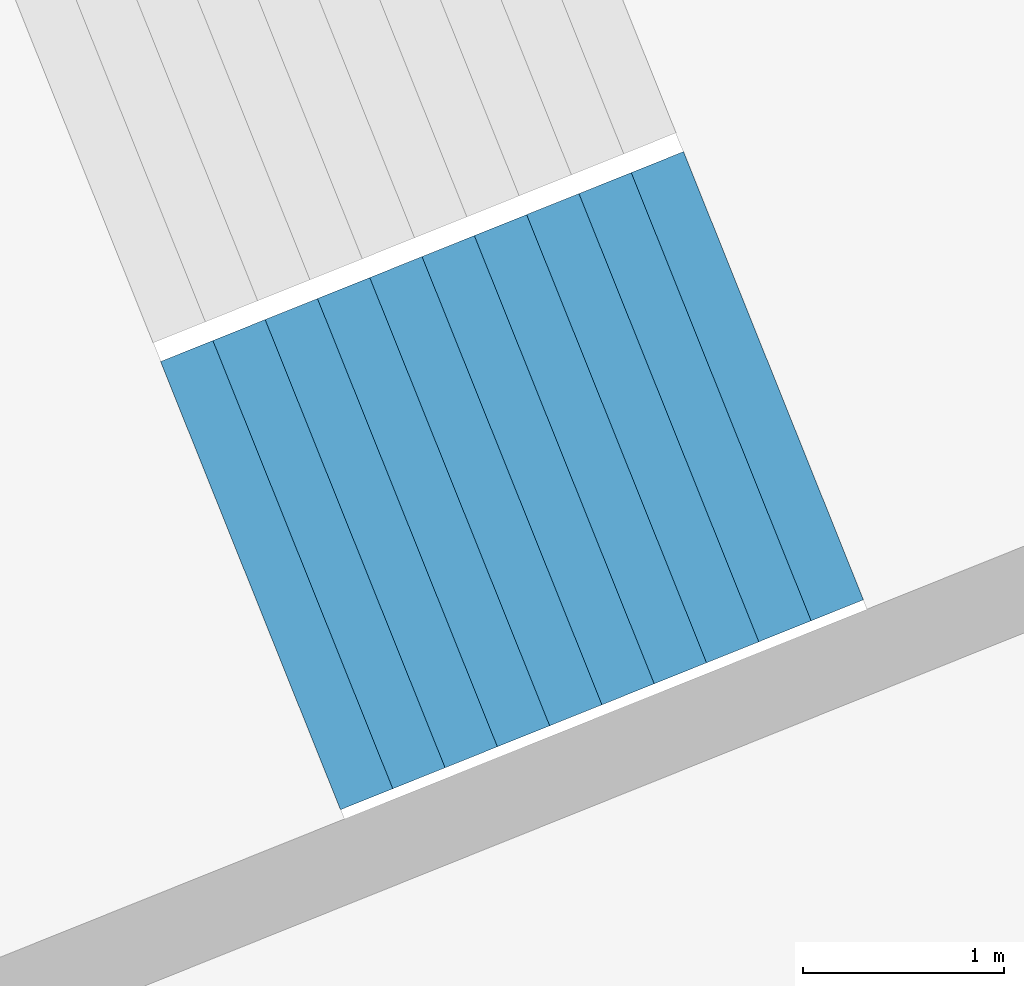
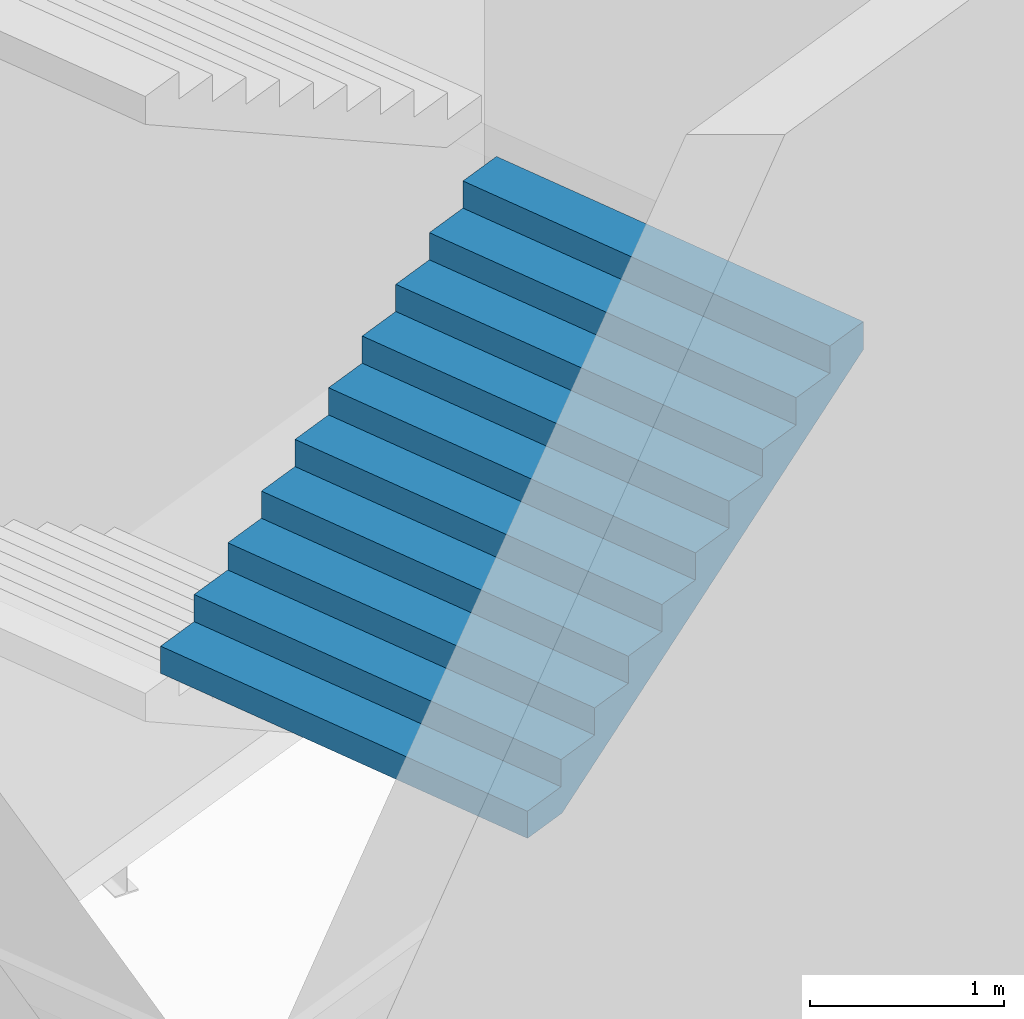
# One storey, part 66 of 73: 1 stair flight, 1 element without a shape of its own.
"""IFC4 building model written with IfcOpenShell, lengths in metres."""

from ifc_helpers import new_model, si_unit, direction, frame, origin, place, context, subcontext, project, spatial, triangles, material, type_object, element, aggregate, save


model = new_model("IFC4")

# Units and contexts
model_context = context("Model", 3, precision=1e-05, world=origin(), true_north=direction((0.0, 1.0)))
body_context = subcontext(model_context, "Body", "Model", "MODEL_VIEW")
ifc_project = project(units=[si_unit("LENGTHUNIT", "METRE"), si_unit("AREAUNIT", "SQUARE_METRE"), si_unit("VOLUMEUNIT", "CUBIC_METRE"), si_unit("PLANEANGLEUNIT", "RADIAN"), si_unit("MASSUNIT", "GRAM", prefix="KILO")], contexts=[model_context])

# Site, building, storey
site_placement = place(None, origin())
site = spatial("IfcSite", under=ifc_project, at=site_placement, CompositionType="ELEMENT")
building_placement = place(site_placement, origin())
building = spatial("IfcBuilding", under=site, at=building_placement, Name="Lantaw Convention Tower", CompositionType="ELEMENT")
storey_placement = place(building_placement, frame((0.0, 0.0, 14.5)))
storey = spatial("IfcBuildingStorey", under=building, at=storey_placement, Name="L02", CompositionType="ELEMENT", Elevation=14.5)

# Stair, stair flight
ifc_material = material(Name="Concrete C35/45", Category="concrete")
stair_type = type_object("IfcStairType", Name="Exit stair 2400 riser 170.45 in 4 flights", PredefinedType="HALF_TURN_STAIR", material=ifc_material)
stair_placement = place(storey_placement, origin())
stair = element("IfcStair", 1, at=stair_placement, inside=storey, type_object=stair_type, Name="Podium exit stair P2 L02", PredefinedType="HALF_TURN_STAIR")
stair_flight_type = type_object("IfcStairFlightType", Name="Stair flight 2400 riser 170.45", PredefinedType="STRAIGHT", material=ifc_material)
stair_flight_placement = place(storey_placement, frame((36.730712890625, 13.398193359375, 3.75), z_axis=(0.0, 0.0, 1.0), x_axis=(0.928015168305, 0.372542410198, 0.0)))
stair_flight = element("IfcStairFlight", 2, at=stair_flight_placement, type_object=stair_flight_type, Name="P2 flight 3", NumberOfRisers=11, NumberOfTreads=10, PredefinedType="STRAIGHT", RiserHeight=0.170454545, TreadLength=0.28, context=body_context, shape_type="Tessellation", body=[
    triangles([(0.0, 1.199951171875, 0.0), (0.0, 1.199951171875, 0.170454545), (0.28, 1.199951171875, 0.0), (0.28, 1.199951171875, 0.170454545), (0.28, 1.199951171875, 0.34090909), (0.28827876332691904, 1.199951171875, 0.0), (0.28827876332691904, 1.199951171875, 0.34090909), (0.56, 1.199951171875, 0.16541471344266906), (0.56, 1.199951171875, 0.34090909), (0.56, 1.199951171875, 0.511363635), (0.8400000000000001, 1.199951171875, 0.335869258442669), (0.8400000000000001, 1.199951171875, 0.511363635), (0.8400000000000001, 1.199951171875, 0.68181818), (1.12, 1.199951171875, 0.506323803442669), (1.12, 1.199951171875, 0.68181818), (1.12, 1.199951171875, 0.8522727250000001), (1.4000000000000001, 1.199951171875, 0.676778348442669), (1.4000000000000001, 1.199951171875, 0.8522727250000001), (1.4000000000000001, 1.199951171875, 1.02272727), (1.6800000000000002, 1.199951171875, 0.847232893442669), (1.6800000000000002, 1.199951171875, 1.02272727), (1.6800000000000002, 1.199951171875, 1.193181815), (1.9600000000000002, 1.199951171875, 1.017687438442669), (1.9600000000000002, 1.199951171875, 1.193181815), (1.9600000000000002, 1.199951171875, 1.36363636), (2.24, 1.199951171875, 1.188141983442669), (2.24, 1.199951171875, 1.36363636), (2.24, 1.199951171875, 1.5340909050000002), (2.5200000000000005, 1.199951171875, 1.358596528442669), (2.5200000000000005, 1.199951171875, 1.5340909050000002), (2.5200000000000005, 1.199951171875, 1.7045454500000001), (2.8000000000000003, 1.199951171875, 1.529051073442669), (2.8000000000000003, 1.199951171875, 1.7045454500000001), (0.0, -1.199951171875, 0.0), (0.0, -1.199951171875, 0.170454545), (0.28, -1.199951171875, 0.0), (0.28, -1.199951171875, 0.170454545), (0.28, -1.199951171875, 0.34090909), (0.28827876332691904, -1.199951171875, 0.0), (0.28827876332691904, -1.199951171875, 0.34090909), (0.56, -1.199951171875, 0.16541471344266906), (0.56, -1.199951171875, 0.34090909), (0.56, -1.199951171875, 0.511363635), (0.8400000000000001, -1.199951171875, 0.335869258442669), (0.8400000000000001, -1.199951171875, 0.511363635), (0.8400000000000001, -1.199951171875, 0.68181818), (1.12, -1.199951171875, 0.506323803442669), (1.12, -1.199951171875, 0.68181818), (1.12, -1.199951171875, 0.8522727250000001), (1.4000000000000001, -1.199951171875, 0.676778348442669), (1.4000000000000001, -1.199951171875, 0.8522727250000001), (1.4000000000000001, -1.199951171875, 1.02272727), (1.6800000000000002, -1.199951171875, 0.847232893442669), (1.6800000000000002, -1.199951171875, 1.02272727), (1.6800000000000002, -1.199951171875, 1.193181815), (1.9600000000000002, -1.199951171875, 1.017687438442669), (1.9600000000000002, -1.199951171875, 1.193181815), (1.9600000000000002, -1.199951171875, 1.36363636), (2.24, -1.199951171875, 1.188141983442669), (2.24, -1.199951171875, 1.36363636), (2.24, -1.199951171875, 1.5340909050000002), (2.5200000000000005, -1.199951171875, 1.358596528442669), (2.5200000000000005, -1.199951171875, 1.5340909050000002), (2.5200000000000005, -1.199951171875, 1.7045454500000001), (2.8000000000000003, -1.199951171875, 1.529051073442669), (2.8000000000000003, -1.199951171875, 1.7045454500000001), (0.0, 0.239990234375, 0.170454545), (0.0, 0.239990234375, 0.0), (0.0, 0.1199951171875, 0.170454545), (0.0, 0.1199951171875, 0.0), (0.0, 0.0, 0.170454545), (0.0, 0.0, 0.0), (0.0, -0.1199951171875, 0.170454545), (0.0, -0.1199951171875, 0.0), (0.0, -0.239990234375, 0.170454545), (0.0, -0.239990234375, 0.0), (0.28, 0.239990234375, 0.34090909), (0.28, 0.239990234375, 0.170454545), (0.28, 0.1199951171875, 0.34090909), (0.28, 0.1199951171875, 0.170454545), (0.28, 0.0, 0.34090909), (0.28, 0.0, 0.170454545), (0.28, -0.1199951171875, 0.34090909), (0.28, -0.1199951171875, 0.170454545), (0.28, -0.239990234375, 0.34090909), (0.28, -0.239990234375, 0.170454545), (0.56, 0.239990234375, 0.511363635), (0.56, 0.239990234375, 0.34090909), (0.56, 0.1199951171875, 0.511363635), (0.56, 0.1199951171875, 0.34090909), (0.56, 0.0, 0.511363635), (0.56, 0.0, 0.34090909), (0.56, -0.1199951171875, 0.511363635), (0.56, -0.1199951171875, 0.34090909), (0.56, -0.239990234375, 0.511363635), (0.56, -0.239990234375, 0.34090909), (0.8400000000000001, 0.239990234375, 0.68181818), (0.8400000000000001, 0.239990234375, 0.511363635), (0.8400000000000001, 0.1199951171875, 0.68181818), (0.8400000000000001, 0.1199951171875, 0.511363635), (0.8400000000000001, 0.0, 0.68181818), (0.8400000000000001, 0.0, 0.511363635), (0.8400000000000001, -0.1199951171875, 0.68181818), (0.8400000000000001, -0.1199951171875, 0.511363635), (0.8400000000000001, -0.239990234375, 0.68181818), (0.8400000000000001, -0.239990234375, 0.511363635), (1.12, 0.239990234375, 0.8522727250000001), (1.12, 0.239990234375, 0.68181818), (1.12, 0.1199951171875, 0.8522727250000001), (1.12, 0.1199951171875, 0.68181818), (1.12, 0.0, 0.8522727250000001), (1.12, 0.0, 0.68181818), (1.12, -0.1199951171875, 0.8522727250000001), (1.12, -0.1199951171875, 0.68181818), (1.12, -0.239990234375, 0.8522727250000001), (1.12, -0.239990234375, 0.68181818), (1.4000000000000001, 0.239990234375, 1.02272727), (1.4000000000000001, 0.239990234375, 0.8522727250000001), (1.4000000000000001, 0.1199951171875, 1.02272727), (1.4000000000000001, 0.1199951171875, 0.8522727250000001), (1.4000000000000001, 0.0, 1.02272727), (1.4000000000000001, 0.0, 0.8522727250000001), (1.4000000000000001, -0.1199951171875, 1.02272727), (1.4000000000000001, -0.1199951171875, 0.8522727250000001), (1.4000000000000001, -0.239990234375, 1.02272727), (1.4000000000000001, -0.239990234375, 0.8522727250000001), (1.6800000000000002, 0.239990234375, 1.193181815), (1.6800000000000002, 0.239990234375, 1.02272727), (1.6800000000000002, 0.1199951171875, 1.193181815), (1.6800000000000002, 0.1199951171875, 1.02272727), (1.6800000000000002, 0.0, 1.193181815), (1.6800000000000002, 0.0, 1.02272727), (1.6800000000000002, -0.1199951171875, 1.193181815), (1.6800000000000002, -0.1199951171875, 1.02272727), (1.6800000000000002, -0.239990234375, 1.193181815), (1.6800000000000002, -0.239990234375, 1.02272727), (1.9600000000000002, 0.239990234375, 1.36363636), (1.9600000000000002, 0.239990234375, 1.193181815), (1.9600000000000002, 0.1199951171875, 1.36363636), (1.9600000000000002, 0.1199951171875, 1.193181815), (1.9600000000000002, 0.0, 1.36363636), (1.9600000000000002, 0.0, 1.193181815), (1.9600000000000002, -0.1199951171875, 1.36363636), (1.9600000000000002, -0.1199951171875, 1.193181815), (1.9600000000000002, -0.239990234375, 1.36363636), (1.9600000000000002, -0.239990234375, 1.193181815), (2.24, 0.239990234375, 1.5340909050000002), (2.24, 0.239990234375, 1.36363636), (2.24, 0.1199951171875, 1.5340909050000002), (2.24, 0.1199951171875, 1.36363636), (2.24, 0.0, 1.5340909050000002), (2.24, 0.0, 1.36363636), (2.24, -0.1199951171875, 1.5340909050000002), (2.24, -0.1199951171875, 1.36363636), (2.24, -0.239990234375, 1.5340909050000002), (2.24, -0.239990234375, 1.36363636), (2.5200000000000005, 0.239990234375, 1.7045454500000001), (2.5200000000000005, 0.239990234375, 1.5340909050000002), (2.5200000000000005, 0.1199951171875, 1.7045454500000001), (2.5200000000000005, 0.1199951171875, 1.5340909050000002), (2.5200000000000005, 0.0, 1.7045454500000001), (2.5200000000000005, 0.0, 1.5340909050000002), (2.5200000000000005, -0.1199951171875, 1.7045454500000001), (2.5200000000000005, -0.1199951171875, 1.5340909050000002), (2.5200000000000005, -0.239990234375, 1.7045454500000001), (2.5200000000000005, -0.239990234375, 1.5340909050000002), (0.28827876332691904, 0.239990234375, 0.34090909), (0.28827876332691904, 0.1199951171875, 0.34090909), (0.28827876332691904, 0.0, 0.34090909), (0.28827876332691904, -0.1199951171875, 0.34090909), (0.28827876332691904, -0.239990234375, 0.34090909), (2.8000000000000003, 0.239990234375, 1.7045454500000001), (2.8000000000000003, 0.1199951171875, 1.7045454500000001), (2.8000000000000003, 0.0, 1.7045454500000001), (2.8000000000000003, -0.1199951171875, 1.7045454500000001), (2.8000000000000003, -0.239990234375, 1.7045454500000001), (2.8000000000000003, 0.239990234375, 1.5290510734426692), (2.8000000000000003, 0.1199951171875, 1.5290510734426692), (2.8000000000000003, 0.0, 1.5290510734426692), (2.8000000000000003, -0.1199951171875, 1.5290510734426692), (2.8000000000000003, -0.239990234375, 1.5290510734426692), (2.5200000000000005, 0.239990234375, 1.358596528442669), (2.5200000000000005, 0.1199951171875, 1.358596528442669), (2.5200000000000005, 0.0, 1.358596528442669), (2.5200000000000005, -0.1199951171875, 1.358596528442669), (2.5200000000000005, -0.239990234375, 1.358596528442669), (2.24, 0.239990234375, 1.188141983442669), (2.24, 0.1199951171875, 1.188141983442669), (2.24, 0.0, 1.188141983442669), (2.24, -0.1199951171875, 1.188141983442669), (2.24, -0.239990234375, 1.188141983442669), (1.9600000000000002, 0.239990234375, 1.017687438442669), (1.9600000000000002, 0.1199951171875, 1.017687438442669), (1.9600000000000002, 0.0, 1.017687438442669), (1.9600000000000002, -0.1199951171875, 1.017687438442669), (1.9600000000000002, -0.239990234375, 1.017687438442669), (1.6800000000000002, 0.239990234375, 0.847232893442669), (1.6800000000000002, 0.1199951171875, 0.847232893442669), (1.6800000000000002, 0.0, 0.847232893442669), (1.6800000000000002, -0.1199951171875, 0.847232893442669), (1.6800000000000002, -0.239990234375, 0.847232893442669), (1.4000000000000001, 0.239990234375, 0.676778348442669), (1.4000000000000001, 0.1199951171875, 0.676778348442669), (1.4000000000000001, 0.0, 0.676778348442669), (1.4000000000000001, -0.1199951171875, 0.676778348442669), (1.4000000000000001, -0.239990234375, 0.676778348442669), (1.12, 0.239990234375, 0.506323803442669), (1.12, 0.1199951171875, 0.506323803442669), (1.12, 0.0, 0.506323803442669), (1.12, -0.1199951171875, 0.506323803442669), (1.12, -0.239990234375, 0.506323803442669), (0.8400000000000001, 0.239990234375, 0.335869258442669), (0.8400000000000001, 0.1199951171875, 0.335869258442669), (0.8400000000000001, 0.0, 0.335869258442669), (0.8400000000000001, -0.1199951171875, 0.335869258442669), (0.8400000000000001, -0.239990234375, 0.335869258442669), (0.56, 0.239990234375, 0.16541471344266906), (0.56, 0.1199951171875, 0.16541471344266906), (0.56, 0.0, 0.16541471344266906), (0.56, -0.1199951171875, 0.16541471344266906), (0.56, -0.239990234375, 0.16541471344266906), (0.28827876332691904, 0.239990234375, 0.0), (0.28827876332691904, 0.1199951171875, 0.0), (0.28827876332691904, 0.0, 0.0), (0.28827876332691904, -0.1199951171875, 0.0), (0.28827876332691904, -0.239990234375, 0.0), (0.28, 0.239990234375, 0.0), (0.28, 0.1199951171875, 0.0), (0.28, 0.0, 0.0), (0.28, -0.1199951171875, 0.0), (0.28, -0.239990234375, 0.0)], [[1, 4, 3], [1, 2, 4], [3, 4, 6], [4, 7, 6], [4, 5, 7], [6, 9, 8], [6, 7, 9], [8, 9, 11], [9, 12, 11], [9, 10, 12], [11, 12, 14], [12, 15, 14], [12, 13, 15], [14, 15, 17], [15, 18, 17], [15, 16, 18], [17, 18, 20], [18, 21, 20], [18, 19, 21], [20, 21, 23], [21, 24, 23], [21, 22, 24], [23, 24, 26], [24, 27, 26], [24, 25, 27], [26, 27, 29], [27, 30, 29], [27, 28, 30], [29, 30, 32], [30, 33, 32], [30, 31, 33], [34, 36, 37], [34, 37, 35], [36, 39, 37], [37, 39, 40], [37, 40, 38], [39, 41, 42], [39, 42, 40], [41, 44, 42], [42, 44, 45], [42, 45, 43], [44, 47, 45], [45, 47, 48], [45, 48, 46], [47, 50, 48], [48, 50, 51], [48, 51, 49], [50, 53, 51], [51, 53, 54], [51, 54, 52], [53, 56, 54], [54, 56, 57], [54, 57, 55], [56, 59, 57], [57, 59, 60], [57, 60, 58], [59, 62, 60], [60, 62, 63], [60, 63, 61], [62, 65, 63], [63, 65, 66], [63, 66, 64], [1, 67, 2], [1, 68, 67], [68, 69, 67], [68, 70, 69], [70, 71, 69], [70, 72, 71], [72, 73, 71], [72, 74, 73], [74, 75, 73], [74, 76, 75], [76, 35, 75], [76, 34, 35], [4, 77, 5], [4, 78, 77], [78, 79, 77], [78, 80, 79], [80, 81, 79], [80, 82, 81], [82, 83, 81], [82, 84, 83], [84, 85, 83], [84, 86, 85], [86, 38, 85], [86, 37, 38], [9, 87, 10], [9, 88, 87], [88, 89, 87], [88, 90, 89], [90, 91, 89], [90, 92, 91], [92, 93, 91], [92, 94, 93], [94, 95, 93], [94, 96, 95], [96, 43, 95], [96, 42, 43], [12, 97, 13], [12, 98, 97], [98, 99, 97], [98, 100, 99], [100, 101, 99], [100, 102, 101], [102, 103, 101], [102, 104, 103], [104, 105, 103], [104, 106, 105], [106, 46, 105], [106, 45, 46], [15, 107, 16], [15, 108, 107], [108, 109, 107], [108, 110, 109], [110, 111, 109], [110, 112, 111], [112, 113, 111], [112, 114, 113], [114, 115, 113], [114, 116, 115], [116, 49, 115], [116, 48, 49], [18, 117, 19], [18, 118, 117], [118, 119, 117], [118, 120, 119], [120, 121, 119], [120, 122, 121], [122, 123, 121], [122, 124, 123], [124, 125, 123], [124, 126, 125], [126, 52, 125], [126, 51, 52], [21, 127, 22], [21, 128, 127], [128, 129, 127], [128, 130, 129], [130, 131, 129], [130, 132, 131], [132, 133, 131], [132, 134, 133], [134, 135, 133], [134, 136, 135], [136, 55, 135], [136, 54, 55], [24, 137, 25], [24, 138, 137], [138, 139, 137], [138, 140, 139], [140, 141, 139], [140, 142, 141], [142, 143, 141], [142, 144, 143], [144, 145, 143], [144, 146, 145], [146, 58, 145], [146, 57, 58], [27, 147, 28], [27, 148, 147], [148, 149, 147], [148, 150, 149], [150, 151, 149], [150, 152, 151], [152, 153, 151], [152, 154, 153], [154, 155, 153], [154, 156, 155], [156, 61, 155], [156, 60, 61], [30, 157, 31], [30, 158, 157], [158, 159, 157], [158, 160, 159], [160, 161, 159], [160, 162, 161], [162, 163, 161], [162, 164, 163], [164, 165, 163], [164, 166, 165], [166, 64, 165], [166, 63, 64], [2, 78, 4], [2, 67, 78], [67, 80, 78], [67, 69, 80], [69, 82, 80], [69, 71, 82], [71, 84, 82], [71, 73, 84], [73, 86, 84], [73, 75, 86], [75, 37, 86], [75, 35, 37], [5, 167, 7], [5, 77, 167], [77, 168, 167], [77, 79, 168], [79, 169, 168], [79, 81, 169], [81, 170, 169], [81, 83, 170], [83, 171, 170], [83, 85, 171], [85, 40, 171], [85, 38, 40], [7, 88, 9], [7, 167, 88], [167, 90, 88], [167, 168, 90], [168, 92, 90], [168, 169, 92], [169, 94, 92], [169, 170, 94], [170, 96, 94], [170, 171, 96], [171, 42, 96], [171, 40, 42], [10, 98, 12], [10, 87, 98], [87, 100, 98], [87, 89, 100], [89, 102, 100], [89, 91, 102], [91, 104, 102], [91, 93, 104], [93, 106, 104], [93, 95, 106], [95, 45, 106], [95, 43, 45], [13, 108, 15], [13, 97, 108], [97, 110, 108], [97, 99, 110], [99, 112, 110], [99, 101, 112], [101, 114, 112], [101, 103, 114], [103, 116, 114], [103, 105, 116], [105, 48, 116], [105, 46, 48], [16, 118, 18], [16, 107, 118], [107, 120, 118], [107, 109, 120], [109, 122, 120], [109, 111, 122], [111, 124, 122], [111, 113, 124], [113, 126, 124], [113, 115, 126], [115, 51, 126], [115, 49, 51], [19, 128, 21], [19, 117, 128], [117, 130, 128], [117, 119, 130], [119, 132, 130], [119, 121, 132], [121, 134, 132], [121, 123, 134], [123, 136, 134], [123, 125, 136], [125, 54, 136], [125, 52, 54], [22, 138, 24], [22, 127, 138], [127, 140, 138], [127, 129, 140], [129, 142, 140], [129, 131, 142], [131, 144, 142], [131, 133, 144], [133, 146, 144], [133, 135, 146], [135, 57, 146], [135, 55, 57], [25, 148, 27], [25, 137, 148], [137, 150, 148], [137, 139, 150], [139, 152, 150], [139, 141, 152], [141, 154, 152], [141, 143, 154], [143, 156, 154], [143, 145, 156], [145, 60, 156], [145, 58, 60], [28, 158, 30], [28, 147, 158], [147, 160, 158], [147, 149, 160], [149, 162, 160], [149, 151, 162], [151, 164, 162], [151, 153, 164], [153, 166, 164], [153, 155, 166], [155, 63, 166], [155, 61, 63], [31, 172, 33], [31, 157, 172], [157, 173, 172], [157, 159, 173], [159, 174, 173], [159, 161, 174], [161, 175, 174], [161, 163, 175], [163, 176, 175], [163, 165, 176], [165, 66, 176], [165, 64, 66], [33, 177, 32], [33, 172, 177], [172, 178, 177], [172, 173, 178], [173, 179, 178], [173, 174, 179], [174, 180, 179], [174, 175, 180], [175, 181, 180], [175, 176, 181], [176, 65, 181], [176, 66, 65], [32, 182, 29], [32, 177, 182], [177, 183, 182], [177, 178, 183], [178, 184, 183], [178, 179, 184], [179, 185, 184], [179, 180, 185], [180, 186, 185], [180, 181, 186], [181, 62, 186], [181, 65, 62], [29, 187, 26], [29, 182, 187], [182, 188, 187], [182, 183, 188], [183, 189, 188], [183, 184, 189], [184, 190, 189], [184, 185, 190], [185, 191, 190], [185, 186, 191], [186, 59, 191], [186, 62, 59], [26, 192, 23], [26, 187, 192], [187, 193, 192], [187, 188, 193], [188, 194, 193], [188, 189, 194], [189, 195, 194], [189, 190, 195], [190, 196, 195], [190, 191, 196], [191, 56, 196], [191, 59, 56], [23, 197, 20], [23, 192, 197], [192, 198, 197], [192, 193, 198], [193, 199, 198], [193, 194, 199], [194, 200, 199], [194, 195, 200], [195, 201, 200], [195, 196, 201], [196, 53, 201], [196, 56, 53], [20, 202, 17], [20, 197, 202], [197, 203, 202], [197, 198, 203], [198, 204, 203], [198, 199, 204], [199, 205, 204], [199, 200, 205], [200, 206, 205], [200, 201, 206], [201, 50, 206], [201, 53, 50], [17, 207, 14], [17, 202, 207], [202, 208, 207], [202, 203, 208], [203, 209, 208], [203, 204, 209], [204, 210, 209], [204, 205, 210], [205, 211, 210], [205, 206, 211], [206, 47, 211], [206, 50, 47], [14, 212, 11], [14, 207, 212], [207, 213, 212], [207, 208, 213], [208, 214, 213], [208, 209, 214], [209, 215, 214], [209, 210, 215], [210, 216, 215], [210, 211, 216], [211, 44, 216], [211, 47, 44], [11, 217, 8], [11, 212, 217], [212, 218, 217], [212, 213, 218], [213, 219, 218], [213, 214, 219], [214, 220, 219], [214, 215, 220], [215, 221, 220], [215, 216, 221], [216, 41, 221], [216, 44, 41], [8, 222, 6], [8, 217, 222], [217, 223, 222], [217, 218, 223], [218, 224, 223], [218, 219, 224], [219, 225, 224], [219, 220, 225], [220, 226, 225], [220, 221, 226], [221, 39, 226], [221, 41, 39], [6, 227, 3], [6, 222, 227], [222, 228, 227], [222, 223, 228], [223, 229, 228], [223, 224, 229], [224, 230, 229], [224, 225, 230], [225, 231, 230], [225, 226, 231], [226, 36, 231], [226, 39, 36], [3, 68, 1], [3, 227, 68], [227, 70, 68], [227, 228, 70], [228, 72, 70], [228, 229, 72], [229, 74, 72], [229, 230, 74], [230, 76, 74], [230, 231, 76], [231, 34, 76], [231, 36, 34]], closed=True),
])
aggregate(stair, [stair_flight])

save(model, "model.ifc")
